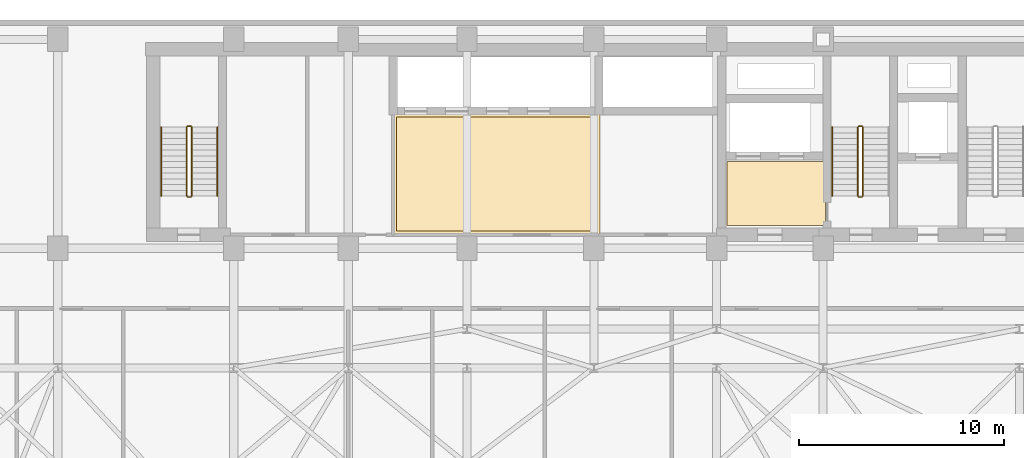
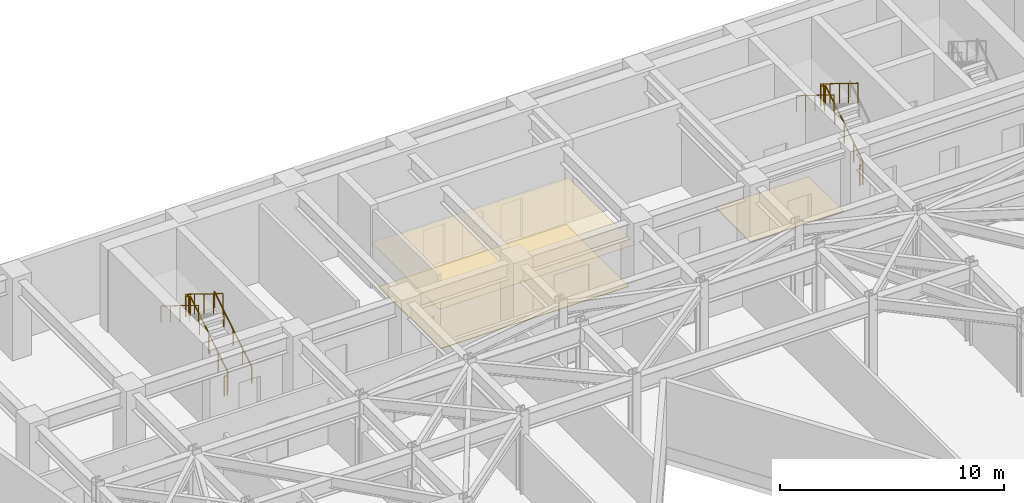
# One storey, part 7 of 8: 11 railings, 3 coverings.
"""IFC4 building model written with IfcOpenShell, lengths in metres."""

import ifcopenshell
import ifcopenshell.guid

model = None  # the IFC model being written
_history = None  # IfcOwnerHistory: only IFC2X3 demands one
_inside = {}  # id of a spatial element -> (the spatial element, [elements in it])
_under = {}  # id of a project, library or spatial element -> (it, [spatial elements below it])
_declared = {}  # id of a project -> (the project, [libraries it declares])
_typed = {}  # id of a type object -> (the type object, [elements of that type])
_made_of = {}  # id of a material, layer set ... -> (it, [elements and type objects made of it])


def new_model(schema):
    """Start an empty IFC model of exactly this schema.

    Asked for "IFC4X3", IfcOpenShell would pick the latest addendum, in which some entities
    have other attributes; the version numbers below select the first issue.
    IFC2X3 requires an IfcOwnerHistory on every rooted entity: one is made here for all.
    """
    global model, _history
    if schema == "IFC4X3":
        model = ifcopenshell.file(schema_version=(4, 3, 0, 0))
    else:
        model = ifcopenshell.file(schema=schema)
    _inside.clear()
    _under.clear()
    _declared.clear()
    _typed.clear()
    _made_of.clear()
    _history = None
    if model.schema == "IFC2X3":
        org = make("IfcOrganization", Name="unknown")
        user = make(
            "IfcPersonAndOrganization",
            ThePerson=make("IfcPerson", FamilyName="unknown"),
            TheOrganization=org,
        )
        app = make(
            "IfcApplication",
            ApplicationDeveloper=org,
            Version="unknown",
            ApplicationFullName="unknown",
            ApplicationIdentifier="unknown",
        )
        _history = make(
            "IfcOwnerHistory",
            OwningUser=user,
            OwningApplication=app,
            ChangeAction="ADDED",
            CreationDate=0,
        )
    return model


def make(cls, **values):
    """One entity of the class cls with the attributes given. An attribute that is None is left unset."""
    return model.create_entity(
        cls, **{name: value for name, value in values.items() if value is not None}
    )


def rooted(cls, **values):
    """An entity with a GlobalId (a new one), such as an element, a storey or a relation."""
    return make(cls, GlobalId=ifcopenshell.guid.new(), OwnerHistory=_history, **values)


def si_unit(unit_type, name, prefix=None):
    """IfcSIUnit, for example si_unit("LENGTHUNIT", "METRE", prefix="MILLI")."""
    return make("IfcSIUnit", UnitType=unit_type, Prefix=prefix, Name=name)


def assignment(units):
    """IfcUnitAssignment: the units of a project."""
    return None if units is None else make("IfcUnitAssignment", Units=units)


def point(xyz):
    """IfcCartesianPoint."""
    return None if xyz is None else make("IfcCartesianPoint", Coordinates=xyz)


def direction(xyz):
    """IfcDirection."""
    return None if xyz is None else make("IfcDirection", DirectionRatios=xyz)


def frame(location, z_axis=None, x_axis=None):
    """IfcAxis2Placement3D, a coordinate frame: its origin and axes. An axis left out is left unset."""
    return make(
        "IfcAxis2Placement3D",
        Location=point(location),
        Axis=direction(z_axis),
        RefDirection=direction(x_axis),
    )


def frame_2d(location, x_axis=None):
    """IfcAxis2Placement2D, a coordinate frame in the plane: its origin and x axis."""
    return make(
        "IfcAxis2Placement2D", Location=point(location), RefDirection=direction(x_axis)
    )


def origin():
    """The frame at (0, 0, 0) with its axes left unset."""
    return frame((0.0, 0.0, 0.0))


def origin_2d():
    """The frame at (0, 0) in the plane with its x axis left unset."""
    return frame_2d((0.0, 0.0))


def place(relative_to, where):
    """IfcLocalPlacement: puts the frame where relative to a parent placement (None: the world)."""
    return make(
        "IfcLocalPlacement", PlacementRelTo=relative_to, RelativePlacement=where
    )


def context(
    kind, dimensions, precision=None, world=None, true_north=None, identifier=None
):
    """IfcGeometricRepresentationContext, for example the 3D "Model" context."""
    return make(
        "IfcGeometricRepresentationContext",
        ContextIdentifier=identifier,
        ContextType=kind,
        CoordinateSpaceDimension=dimensions,
        Precision=precision,
        WorldCoordinateSystem=world,
        TrueNorth=true_north,
    )


def subcontext(parent, identifier, kind, view, scale=None):
    """IfcGeometricRepresentationSubContext, for example "Body" below "Model"."""
    return make(
        "IfcGeometricRepresentationSubContext",
        ContextIdentifier=identifier,
        ContextType=kind,
        ParentContext=parent,
        TargetScale=scale,
        TargetView=view,
    )


def project(units=None, contexts=None):
    """IfcProject with its units and contexts."""
    return rooted(
        "IfcProject",
        Name="project",
        RepresentationContexts=contexts,
        UnitsInContext=assignment(units),
    )


def spatial(cls, under=None, at=None, **own):
    """A site, building, storey or space (cls), placed at a placement, below another one or the project."""
    s = rooted(cls, ObjectPlacement=at, **own)
    if under is not None:
        _under.setdefault(under.id(), (under, []))[1].append(s)
    return s


def polyline(points):
    """IfcPolyline through the points."""
    return make("IfcPolyline", Points=[point(p) for p in points])


def profile(cls, at=None, kind="AREA", **sizes):
    """A parametric profile (cls). Its sizes go by their IFC names, for example OverallWidth=200.0."""
    return make(cls, ProfileType=kind, Position=at, **sizes)


def circle(**sizes):
    """IfcCircleProfileDef."""
    return profile("IfcCircleProfileDef", **sizes)


def outline(outer, holes=None, kind="AREA"):
    """IfcArbitraryClosedProfileDef: a profile drawn as a closed curve; with holes, ...WithVoids."""
    if holes is None:
        return make("IfcArbitraryClosedProfileDef", ProfileType=kind, OuterCurve=outer)
    return make(
        "IfcArbitraryProfileDefWithVoids",
        ProfileType=kind,
        OuterCurve=outer,
        InnerCurves=holes,
    )


def extrude(swept, where, along, depth):
    """IfcExtrudedAreaSolid: the profile swept, set in the frame where, extruded along a direction by depth."""
    return make(
        "IfcExtrudedAreaSolid",
        SweptArea=swept,
        Position=where,
        ExtrudedDirection=direction(along),
        Depth=depth,
    )


def shape(context_of_items, identifier, shape_type, items):
    """IfcShapeRepresentation: the items that make up one representation, for example the "Body"."""
    return make(
        "IfcShapeRepresentation",
        ContextOfItems=context_of_items,
        RepresentationIdentifier=identifier,
        RepresentationType=shape_type,
        Items=items,
    )


def material(Name=None, Category=None):
    """IfcMaterial."""
    return make("IfcMaterial", Name=Name, Category=Category)


def layer(
    of_material, thickness, ventilated=None, Name=None, Category=None, Priority=None
):
    """IfcMaterialLayer: one layer of a wall or slab, of a material (None: an air gap)."""
    return make(
        "IfcMaterialLayer",
        Material=of_material,
        LayerThickness=thickness,
        IsVentilated=ventilated,
        Name=Name,
        Category=Category,
        Priority=Priority,
    )


def layer_set(layers, Name=None):
    """IfcMaterialLayerSet."""
    return make("IfcMaterialLayerSet", MaterialLayers=layers, LayerSetName=Name)


def made_of(thing, what):
    """Note that an element or type object is made of a material, layer set ...; save() writes the relation."""
    if what is not None:
        _made_of.setdefault(what.id(), (what, []))[1].append(thing)
    return thing


def type_object(cls, material=None, **own):
    """A type object (cls), such as IfcWallType, which elements share."""
    return made_of(rooted(cls, **own), material)


def element(
    cls,
    number,
    at=None,
    inside=None,
    cuts=None,
    type_object=None,
    material=None,
    context=None,
    identifier="Body",
    shape_type=None,
    held_by="IfcProductDefinitionShape",
    body=None,
    shapes=None,
    **own,
):
    """One element of the class cls, such as IfcWall. Its Tag is "e" and its number.

    at: its placement. inside: the storey or other place that contains it. cuts: it is an
    opening in that element (IfcRelVoidsElement). A single representation is given by context,
    identifier, shape_type and body (its items); several are given by shapes. held_by: the class
    of the entity that holds the representations. save() writes the other relations.
    """
    e = rooted(cls, Tag="e%d" % number, ObjectPlacement=at, **own)
    if body is not None:
        shapes = [shape(context, identifier, shape_type, body)]
    if shapes is not None:
        e.Representation = make(held_by, Representations=shapes)
    if inside is not None:
        _inside.setdefault(inside.id(), (inside, []))[1].append(e)
    if cuts is not None:
        rooted(
            "IfcRelVoidsElement", RelatingBuildingElement=cuts, RelatedOpeningElement=e
        )
    if type_object is not None:
        _typed.setdefault(type_object.id(), (type_object, []))[1].append(e)
    return made_of(e, material)


def aggregate(whole, parts):
    """IfcRelAggregates: a whole, such as a stair, and the parts it consists of."""
    return rooted("IfcRelAggregates", RelatingObject=whole, RelatedObjects=parts)


def save(model, path):
    """Write the relations noted so far, then the file.

    IfcRelAggregates (storeys below a building ...), IfcRelContainedInSpatialStructure (elements
    in a storey), IfcRelDefinesByType, IfcRelAssociatesMaterial and IfcRelDeclares: one each for
    every whole, place, type object, material and project.
    """
    for whole, parts in _under.values():
        aggregate(whole, parts)
    for where, things in _inside.values():
        rooted(
            "IfcRelContainedInSpatialStructure",
            RelatedElements=things,
            RelatingStructure=where,
        )
    for kind, things in _typed.values():
        rooted("IfcRelDefinesByType", RelatedObjects=things, RelatingType=kind)
    for what, things in _made_of.values():
        rooted("IfcRelAssociatesMaterial", RelatedObjects=things, RelatingMaterial=what)
    for by, libraries in _declared.values():
        rooted("IfcRelDeclares", RelatingContext=by, RelatedDefinitions=libraries)
    model.write(path)


model = new_model("IFC4")

# Units and contexts
model_context = context("Model", 3, precision=1e-05, world=origin(), true_north=direction((0.0, 1.0)))
body_context = subcontext(model_context, "Body", "Model", "MODEL_VIEW")
ifc_project = project(units=[si_unit("LENGTHUNIT", "METRE"), si_unit("AREAUNIT", "SQUARE_METRE"), si_unit("VOLUMEUNIT", "CUBIC_METRE"), si_unit("PLANEANGLEUNIT", "RADIAN"), si_unit("MASSUNIT", "GRAM", prefix="KILO")], contexts=[model_context])

# Site, building, storey
site_placement = place(None, origin())
site = spatial("IfcSite", under=ifc_project, at=site_placement, CompositionType="ELEMENT")
building_placement = place(site_placement, origin())
building = spatial("IfcBuilding", under=site, at=building_placement, Name="Kravanh Interchange Tower", CompositionType="ELEMENT")
storey_placement = place(building_placement, frame((0.0, 0.0, 156.0)))
storey = spatial("IfcBuildingStorey", under=building, at=storey_placement, Name="L37", CompositionType="ELEMENT", Elevation=156.0)

# Coverings
ifc_material_1 = material(Name="Cementitious Terrazzo Tile")
ifc_layer_1 = layer(ifc_material_1, 0.030029296875)
ifc_layer_set_1 = layer_set([ifc_layer_1], Name="Honed Terrazzo Lobby Flooring 30mm")
covering_type_1 = type_object("IfcCoveringType", Name="Honed Terrazzo Lobby Flooring 30mm", PredefinedType="FLOORING", material=ifc_layer_set_1)
covering_1_placement = place(storey_placement, origin())
element("IfcCovering", 1, at=covering_1_placement, inside=storey, type_object=covering_type_1, Name="L37 Firefighting Lobby Floor Finish", PredefinedType="FLOORING", context=body_context, shape_type="SweptSolid", body=[
    extrude(outline(polyline([(56.1201171875, 38.4599609375), (51.300048828125, 38.4599609375), (51.300048828125, 41.580078125), (56.1201171875, 41.580078125), (56.1201171875, 38.4599609375)])), origin(), (0.0, 0.0, 1.0), 0.030029296875),
])
covering_2_placement = place(storey_placement, origin())
element("IfcCovering", 2, at=covering_2_placement, inside=storey, type_object=covering_type_1, Name="L37 Mid-Rise Lift Lobby Floor Finish", PredefinedType="FLOORING", context=body_context, shape_type="SweptSolid", body=[
    extrude(outline(polyline([(35.159912109375, 43.77001953125), (44.8701171875, 43.77001953125), (44.8701171875, 38.179931640625), (35.159912109375, 38.179931640625), (35.159912109375, 43.77001953125)])), origin(), (0.0, 0.0, 1.0), 0.030029296875),
])
ifc_material_2 = material(Name="Acoustic Mineral Fibre Tile on Aluminium Grid", Category="aluminium")
ifc_layer_2 = layer(ifc_material_2, 0.02490234375)
ifc_layer_set_2 = layer_set([ifc_layer_2], Name="Perforated Acoustic Mineral Ceiling 25mm")
covering_type_2 = type_object("IfcCoveringType", Name="Perforated Acoustic Mineral Ceiling 25mm", PredefinedType="CEILING", material=ifc_layer_set_2)
covering_3_placement = place(storey_placement, frame((0.0, 0.0, 2.35009765625)))
element("IfcCovering", 3, at=covering_3_placement, inside=storey, type_object=covering_type_2, Name="L37 Mid-Rise Lift Lobby Suspended Ceiling", PredefinedType="CEILING", context=body_context, shape_type="SweptSolid", body=[
    extrude(outline(polyline([(45.090087890625, 37.9599609375), (34.93994140625, 37.9599609375), (34.93994140625, 43.989990234375), (45.090087890625, 43.989990234375), (45.090087890625, 37.9599609375)])), origin(), (0.0, 0.0, 1.0), 0.02490234375),
])

# Railings
ifc_material_3 = material(Name="Structural Steel S355", Category="steel")
ifc_layer_3 = layer(ifc_material_3, 0.050048828125)
ifc_layer_set_3 = layer_set([ifc_layer_3], Name="Stair Well Guardrail Structural Steel S355 1100mm")
railing_type_1 = type_object("IfcRailingType", Name="Stair Well Guardrail Structural Steel S355 1100mm", PredefinedType="GUARDRAIL", material=ifc_layer_set_3)
railing_1_placement = place(storey_placement, frame((57.949951171875, 39.89990234375, 0.173095703125)))
element("IfcRailing", 4, at=railing_1_placement, inside=storey, type_object=railing_type_1, Name="L37 ST2 stair guard 1", PredefinedType="GUARDRAIL", context=body_context, shape_type="SweptSolid", body=[
    extrude(circle(Radius=0.02392578125, at=origin_2d()), frame((0.0, 0.0, 1.076171875), z_axis=(0.0, 0.850623216509, 0.525775754039), x_axis=(-1.0, 0.0, 0.0)), (0.0, 0.0, 1.0), 3.9501953125),
    extrude(circle(Radius=0.02099609375, at=origin_2d()), origin(), (0.0, 0.0, 1.0), 1.052001953125),
    extrude(circle(Radius=0.02099609375, at=origin_2d()), frame((0.0, 0.840087890625, 0.519287109375)), (0.0, 0.0, 1.0), 1.052001953125),
    extrude(circle(Radius=0.02099609375, at=origin_2d()), frame((0.0, 1.68017578125, 1.03857421875)), (0.0, 0.0, 1.0), 1.052001953125),
    extrude(circle(Radius=0.02099609375, at=origin_2d()), frame((0.0, 2.52001953125, 1.5576171875)), (0.0, 0.0, 1.0), 1.052001953125),
    extrude(circle(Radius=0.02099609375, at=origin_2d()), frame((0.0, 3.360107421875, 2.076904296875)), (0.0, 0.0, 1.0), 1.052001953125),
])
railing_2_placement = place(storey_placement, frame((57.89990234375, 43.31005859375, 2.25)))
element("IfcRailing", 5, at=railing_2_placement, inside=storey, type_object=railing_type_1, Name="L37 ST2 stair guard 2", PredefinedType="GUARDRAIL", context=body_context, shape_type="SweptSolid", body=[
    extrude(circle(Radius=0.02392578125, at=origin_2d()), frame((0.0, 0.0, 1.076171875), z_axis=(-1.0, 0.0, 0.0), x_axis=(0.0, -1.0, 0.0)), (0.0, 0.0, 1.0), 0.14990234375),
    extrude(circle(Radius=0.02099609375, at=origin_2d()), origin(), (0.0, 0.0, 1.0), 1.052001953125),
    extrude(circle(Radius=0.02099609375, at=origin_2d()), frame((-0.14990234375, 0.0, 0.0)), (0.0, 0.0, 1.0), 1.052001953125),
])
railing_3_placement = place(storey_placement, frame((57.699951171875, 43.260009765625, 2.423095703125)))
element("IfcRailing", 6, at=railing_3_placement, inside=storey, type_object=railing_type_1, Name="L37 ST2 stair guard 3", PredefinedType="GUARDRAIL", context=body_context, shape_type="SweptSolid", body=[
    extrude(circle(Radius=0.02392578125, at=origin_2d()), frame((0.0, 0.0, 1.076171875), z_axis=(0.0, -0.850623216509, 0.525775754039), x_axis=(1.0, 0.0, 0.0)), (0.0, 0.0, 1.0), 3.9501953125),
    extrude(circle(Radius=0.02099609375, at=origin_2d()), origin(), (0.0, 0.0, 1.0), 1.052001953125),
    extrude(circle(Radius=0.02099609375, at=origin_2d()), frame((0.0, -0.840087890625, 0.519287109375)), (0.0, 0.0, 1.0), 1.052001953125),
    extrude(circle(Radius=0.02099609375, at=origin_2d()), frame((0.0, -1.68017578125, 1.03857421875)), (0.0, 0.0, 1.0), 1.052001953125),
    extrude(circle(Radius=0.02099609375, at=origin_2d()), frame((0.0, -2.52001953125, 1.5576171875)), (0.0, 0.0, 1.0), 1.052001953125),
    extrude(circle(Radius=0.02099609375, at=origin_2d()), frame((0.0, -3.360107421875, 2.076904296875)), (0.0, 0.0, 1.0), 1.052001953125),
])
railing_4_placement = place(storey_placement, frame((57.89990234375, 39.85009765625, 0.0)))
element("IfcRailing", 7, at=railing_4_placement, inside=storey, type_object=railing_type_1, Name="L37 ST2 stair guard 4", PredefinedType="GUARDRAIL", context=body_context, shape_type="SweptSolid", body=[
    extrude(circle(Radius=0.02392578125, at=origin_2d()), frame((0.0, 0.0, 1.076171875), z_axis=(-1.0, 0.0, 0.0), x_axis=(0.0, -1.0, 0.0)), (0.0, 0.0, 1.0), 0.14990234375),
    extrude(circle(Radius=0.02099609375, at=origin_2d()), origin(), (0.0, 0.0, 1.0), 1.052001953125),
    extrude(circle(Radius=0.02099609375, at=origin_2d()), frame((-0.14990234375, 0.0, 0.0)), (0.0, 0.0, 1.0), 1.052001953125),
])
railing_5_placement = place(storey_placement, frame((25.14990234375, 39.89990234375, 0.173095703125)))
element("IfcRailing", 8, at=railing_5_placement, inside=storey, type_object=railing_type_1, Name="L37 ST3 stair guard 1", PredefinedType="GUARDRAIL", context=body_context, shape_type="SweptSolid", body=[
    extrude(circle(Radius=0.02392578125, at=origin_2d()), frame((0.0, 0.0, 1.076171875), z_axis=(0.0, 0.850623216509, 0.525775754039), x_axis=(-1.0, 0.0, 0.0)), (0.0, 0.0, 1.0), 3.9501953125),
    extrude(circle(Radius=0.02099609375, at=origin_2d()), origin(), (0.0, 0.0, 1.0), 1.052001953125),
    extrude(circle(Radius=0.02099609375, at=origin_2d()), frame((0.0, 0.840087890625, 0.519287109375)), (0.0, 0.0, 1.0), 1.052001953125),
    extrude(circle(Radius=0.02099609375, at=origin_2d()), frame((0.0, 1.68017578125, 1.03857421875)), (0.0, 0.0, 1.0), 1.052001953125),
    extrude(circle(Radius=0.02099609375, at=origin_2d()), frame((0.0, 2.52001953125, 1.5576171875)), (0.0, 0.0, 1.0), 1.052001953125),
    extrude(circle(Radius=0.02099609375, at=origin_2d()), frame((0.0, 3.360107421875, 2.076904296875)), (0.0, 0.0, 1.0), 1.052001953125),
])
railing_6_placement = place(storey_placement, frame((25.10009765625, 43.31005859375, 2.25)))
element("IfcRailing", 9, at=railing_6_placement, inside=storey, type_object=railing_type_1, Name="L37 ST3 stair guard 2", PredefinedType="GUARDRAIL", context=body_context, shape_type="SweptSolid", body=[
    extrude(circle(Radius=0.02392578125, at=origin_2d()), frame((0.0, 0.0, 1.076171875), z_axis=(-1.0, 0.0, 0.0), x_axis=(0.0, -1.0, 0.0)), (0.0, 0.0, 1.0), 0.150146484375),
    extrude(circle(Radius=0.02099609375, at=origin_2d()), origin(), (0.0, 0.0, 1.0), 1.052001953125),
    extrude(circle(Radius=0.02099609375, at=origin_2d()), frame((-0.150146484375, 0.0, 0.0)), (0.0, 0.0, 1.0), 1.052001953125),
])
railing_7_placement = place(storey_placement, frame((24.89990234375, 43.260009765625, 2.423095703125)))
element("IfcRailing", 10, at=railing_7_placement, inside=storey, type_object=railing_type_1, Name="L37 ST3 stair guard 3", PredefinedType="GUARDRAIL", context=body_context, shape_type="SweptSolid", body=[
    extrude(circle(Radius=0.02392578125, at=origin_2d()), frame((0.0, 0.0, 1.076171875), z_axis=(0.0, -0.850623216509, 0.525775754039), x_axis=(1.0, 0.0, 0.0)), (0.0, 0.0, 1.0), 3.9501953125),
    extrude(circle(Radius=0.02099609375, at=origin_2d()), origin(), (0.0, 0.0, 1.0), 1.052001953125),
    extrude(circle(Radius=0.02099609375, at=origin_2d()), frame((0.0, -0.840087890625, 0.519287109375)), (0.0, 0.0, 1.0), 1.052001953125),
    extrude(circle(Radius=0.02099609375, at=origin_2d()), frame((0.0, -1.68017578125, 1.03857421875)), (0.0, 0.0, 1.0), 1.052001953125),
    extrude(circle(Radius=0.02099609375, at=origin_2d()), frame((0.0, -2.52001953125, 1.5576171875)), (0.0, 0.0, 1.0), 1.052001953125),
    extrude(circle(Radius=0.02099609375, at=origin_2d()), frame((0.0, -3.360107421875, 2.076904296875)), (0.0, 0.0, 1.0), 1.052001953125),
])
railing_8_placement = place(storey_placement, frame((25.10009765625, 39.85009765625, 0.0)))
element("IfcRailing", 11, at=railing_8_placement, inside=storey, type_object=railing_type_1, Name="L37 ST3 stair guard 4", PredefinedType="GUARDRAIL", context=body_context, shape_type="SweptSolid", body=[
    extrude(circle(Radius=0.02392578125, at=origin_2d()), frame((0.0, 0.0, 1.076171875), z_axis=(-1.0, 0.0, 0.0), x_axis=(0.0, -1.0, 0.0)), (0.0, 0.0, 1.0), 0.150146484375),
    extrude(circle(Radius=0.02099609375, at=origin_2d()), origin(), (0.0, 0.0, 1.0), 1.052001953125),
    extrude(circle(Radius=0.02099609375, at=origin_2d()), frame((-0.150146484375, 0.0, 0.0)), (0.0, 0.0, 1.0), 1.052001953125),
])
ifc_material_4 = material(Name="Stainless Steel 304", Category="steel")
ifc_layer_4 = layer(ifc_material_4, 0.044921875)
ifc_layer_set_4 = layer_set([ifc_layer_4], Name="Tubular Stair Handrail Stainless 304 900mm")
railing_type_2 = type_object("IfcRailingType", Name="Tubular Stair Handrail Stainless 304 900mm", PredefinedType="HANDRAIL", material=ifc_layer_set_4)
railing_9_placement = place(storey_placement, frame((56.449951171875, 43.260009765625, 2.423095703125)))
element("IfcRailing", 12, at=railing_9_placement, inside=storey, type_object=railing_type_2, Name="L37 ST2 stair handrail 2", PredefinedType="HANDRAIL", context=body_context, shape_type="SweptSolid", body=[
    extrude(circle(Radius=0.02392578125, at=origin_2d()), frame((0.0, 0.0, 0.8759765625), z_axis=(0.0, -0.850623216509, 0.525775754039), x_axis=(1.0, 0.0, 0.0)), (0.0, 0.0, 1.0), 3.9501953125),
    extrude(circle(Radius=0.02099609375, at=origin_2d()), origin(), (0.0, 0.0, 1.0), 0.851806640625),
    extrude(circle(Radius=0.02099609375, at=origin_2d()), frame((0.0, -0.840087890625, 0.519287109375)), (0.0, 0.0, 1.0), 0.851806640625),
    extrude(circle(Radius=0.02099609375, at=origin_2d()), frame((0.0, -1.68017578125, 1.03857421875)), (0.0, 0.0, 1.0), 0.851806640625),
    extrude(circle(Radius=0.02099609375, at=origin_2d()), frame((0.0, -2.52001953125, 1.5576171875)), (0.0, 0.0, 1.0), 0.851806640625),
    extrude(circle(Radius=0.02099609375, at=origin_2d()), frame((0.0, -3.360107421875, 2.076904296875)), (0.0, 0.0, 1.0), 0.851806640625),
])
railing_10_placement = place(storey_placement, frame((26.39990234375, 39.89990234375, 0.173095703125)))
element("IfcRailing", 13, at=railing_10_placement, inside=storey, type_object=railing_type_2, Name="L37 ST3 stair handrail 1", PredefinedType="HANDRAIL", context=body_context, shape_type="SweptSolid", body=[
    extrude(circle(Radius=0.02392578125, at=origin_2d()), frame((0.0, 0.0, 0.8759765625), z_axis=(0.0, 0.850623216509, 0.525775754039), x_axis=(-1.0, 0.0, 0.0)), (0.0, 0.0, 1.0), 3.9501953125),
    extrude(circle(Radius=0.02099609375, at=origin_2d()), origin(), (0.0, 0.0, 1.0), 0.851806640625),
    extrude(circle(Radius=0.02099609375, at=origin_2d()), frame((0.0, 0.840087890625, 0.519287109375)), (0.0, 0.0, 1.0), 0.851806640625),
    extrude(circle(Radius=0.02099609375, at=origin_2d()), frame((0.0, 1.68017578125, 1.03857421875)), (0.0, 0.0, 1.0), 0.851806640625),
    extrude(circle(Radius=0.02099609375, at=origin_2d()), frame((0.0, 2.52001953125, 1.5576171875)), (0.0, 0.0, 1.0), 0.851806640625),
    extrude(circle(Radius=0.02099609375, at=origin_2d()), frame((0.0, 3.360107421875, 2.076904296875)), (0.0, 0.0, 1.0), 0.851806640625),
])
railing_11_placement = place(storey_placement, frame((23.64990234375, 43.260009765625, 2.423095703125)))
element("IfcRailing", 14, at=railing_11_placement, inside=storey, type_object=railing_type_2, Name="L37 ST3 stair handrail 2", PredefinedType="HANDRAIL", context=body_context, shape_type="SweptSolid", body=[
    extrude(circle(Radius=0.02392578125, at=origin_2d()), frame((0.0, 0.0, 0.8759765625), z_axis=(0.0, -0.850623216509, 0.525775754039), x_axis=(1.0, 0.0, 0.0)), (0.0, 0.0, 1.0), 3.9501953125),
    extrude(circle(Radius=0.02099609375, at=origin_2d()), origin(), (0.0, 0.0, 1.0), 0.851806640625),
    extrude(circle(Radius=0.02099609375, at=origin_2d()), frame((0.0, -0.840087890625, 0.519287109375)), (0.0, 0.0, 1.0), 0.851806640625),
    extrude(circle(Radius=0.02099609375, at=origin_2d()), frame((0.0, -1.68017578125, 1.03857421875)), (0.0, 0.0, 1.0), 0.851806640625),
    extrude(circle(Radius=0.02099609375, at=origin_2d()), frame((0.0, -2.52001953125, 1.5576171875)), (0.0, 0.0, 1.0), 0.851806640625),
    extrude(circle(Radius=0.02099609375, at=origin_2d()), frame((0.0, -3.360107421875, 2.076904296875)), (0.0, 0.0, 1.0), 0.851806640625),
])

save(model, "model.ifc")
